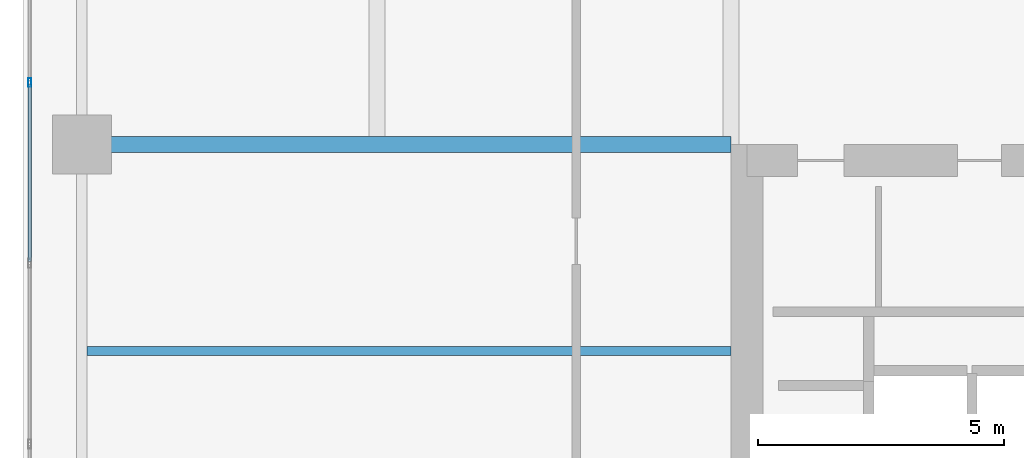
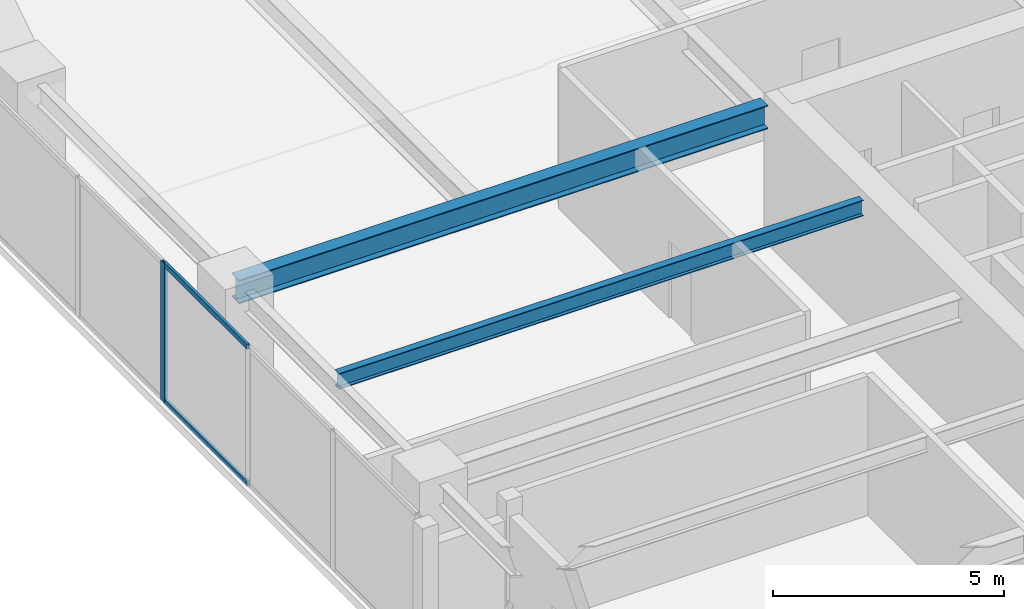
# One storey, part 6 of 30: 3 members, 2 beams, 1 element without a shape of its own.
"""IFC4 building model written with IfcOpenShell, lengths in metres."""

import ifcopenshell
import ifcopenshell.guid

model = None  # the IFC model being written
_history = None  # IfcOwnerHistory: only IFC2X3 demands one
_inside = {}  # id of a spatial element -> (the spatial element, [elements in it])
_under = {}  # id of a project, library or spatial element -> (it, [spatial elements below it])
_declared = {}  # id of a project -> (the project, [libraries it declares])
_typed = {}  # id of a type object -> (the type object, [elements of that type])
_made_of = {}  # id of a material, layer set ... -> (it, [elements and type objects made of it])


def new_model(schema):
    """Start an empty IFC model of exactly this schema.

    Asked for "IFC4X3", IfcOpenShell would pick the latest addendum, in which some entities
    have other attributes; the version numbers below select the first issue.
    IFC2X3 requires an IfcOwnerHistory on every rooted entity: one is made here for all.
    """
    global model, _history
    if schema == "IFC4X3":
        model = ifcopenshell.file(schema_version=(4, 3, 0, 0))
    else:
        model = ifcopenshell.file(schema=schema)
    _inside.clear()
    _under.clear()
    _declared.clear()
    _typed.clear()
    _made_of.clear()
    _history = None
    if model.schema == "IFC2X3":
        org = make("IfcOrganization", Name="unknown")
        user = make(
            "IfcPersonAndOrganization",
            ThePerson=make("IfcPerson", FamilyName="unknown"),
            TheOrganization=org,
        )
        app = make(
            "IfcApplication",
            ApplicationDeveloper=org,
            Version="unknown",
            ApplicationFullName="unknown",
            ApplicationIdentifier="unknown",
        )
        _history = make(
            "IfcOwnerHistory",
            OwningUser=user,
            OwningApplication=app,
            ChangeAction="ADDED",
            CreationDate=0,
        )
    return model


def make(cls, **values):
    """One entity of the class cls with the attributes given. An attribute that is None is left unset."""
    return model.create_entity(
        cls, **{name: value for name, value in values.items() if value is not None}
    )


def rooted(cls, **values):
    """An entity with a GlobalId (a new one), such as an element, a storey or a relation."""
    return make(cls, GlobalId=ifcopenshell.guid.new(), OwnerHistory=_history, **values)


def si_unit(unit_type, name, prefix=None):
    """IfcSIUnit, for example si_unit("LENGTHUNIT", "METRE", prefix="MILLI")."""
    return make("IfcSIUnit", UnitType=unit_type, Prefix=prefix, Name=name)


def assignment(units):
    """IfcUnitAssignment: the units of a project."""
    return None if units is None else make("IfcUnitAssignment", Units=units)


def point(xyz):
    """IfcCartesianPoint."""
    return None if xyz is None else make("IfcCartesianPoint", Coordinates=xyz)


def direction(xyz):
    """IfcDirection."""
    return None if xyz is None else make("IfcDirection", DirectionRatios=xyz)


def frame(location, z_axis=None, x_axis=None):
    """IfcAxis2Placement3D, a coordinate frame: its origin and axes. An axis left out is left unset."""
    return make(
        "IfcAxis2Placement3D",
        Location=point(location),
        Axis=direction(z_axis),
        RefDirection=direction(x_axis),
    )


def frame_2d(location, x_axis=None):
    """IfcAxis2Placement2D, a coordinate frame in the plane: its origin and x axis."""
    return make(
        "IfcAxis2Placement2D", Location=point(location), RefDirection=direction(x_axis)
    )


def origin():
    """The frame at (0, 0, 0) with its axes left unset."""
    return frame((0.0, 0.0, 0.0))


def origin_2d():
    """The frame at (0, 0) in the plane with its x axis left unset."""
    return frame_2d((0.0, 0.0))


def place(relative_to, where):
    """IfcLocalPlacement: puts the frame where relative to a parent placement (None: the world)."""
    return make(
        "IfcLocalPlacement", PlacementRelTo=relative_to, RelativePlacement=where
    )


def context(
    kind, dimensions, precision=None, world=None, true_north=None, identifier=None
):
    """IfcGeometricRepresentationContext, for example the 3D "Model" context."""
    return make(
        "IfcGeometricRepresentationContext",
        ContextIdentifier=identifier,
        ContextType=kind,
        CoordinateSpaceDimension=dimensions,
        Precision=precision,
        WorldCoordinateSystem=world,
        TrueNorth=true_north,
    )


def subcontext(parent, identifier, kind, view, scale=None):
    """IfcGeometricRepresentationSubContext, for example "Body" below "Model"."""
    return make(
        "IfcGeometricRepresentationSubContext",
        ContextIdentifier=identifier,
        ContextType=kind,
        ParentContext=parent,
        TargetScale=scale,
        TargetView=view,
    )


def project(units=None, contexts=None):
    """IfcProject with its units and contexts."""
    return rooted(
        "IfcProject",
        Name="project",
        RepresentationContexts=contexts,
        UnitsInContext=assignment(units),
    )


def spatial(cls, under=None, at=None, **own):
    """A site, building, storey or space (cls), placed at a placement, below another one or the project."""
    s = rooted(cls, ObjectPlacement=at, **own)
    if under is not None:
        _under.setdefault(under.id(), (under, []))[1].append(s)
    return s


def profile(cls, at=None, kind="AREA", **sizes):
    """A parametric profile (cls). Its sizes go by their IFC names, for example OverallWidth=200.0."""
    return make(cls, ProfileType=kind, Position=at, **sizes)


def hollow_rectangle(**sizes):
    """IfcRectangleHollowProfileDef."""
    return profile("IfcRectangleHollowProfileDef", **sizes)


def i_section(**sizes):
    """IfcIShapeProfileDef."""
    return profile("IfcIShapeProfileDef", **sizes)


def extrude(swept, where, along, depth):
    """IfcExtrudedAreaSolid: the profile swept, set in the frame where, extruded along a direction by depth."""
    return make(
        "IfcExtrudedAreaSolid",
        SweptArea=swept,
        Position=where,
        ExtrudedDirection=direction(along),
        Depth=depth,
    )


def shape(context_of_items, identifier, shape_type, items):
    """IfcShapeRepresentation: the items that make up one representation, for example the "Body"."""
    return make(
        "IfcShapeRepresentation",
        ContextOfItems=context_of_items,
        RepresentationIdentifier=identifier,
        RepresentationType=shape_type,
        Items=items,
    )


def material(Name=None, Category=None):
    """IfcMaterial."""
    return make("IfcMaterial", Name=Name, Category=Category)


def layer(
    of_material, thickness, ventilated=None, Name=None, Category=None, Priority=None
):
    """IfcMaterialLayer: one layer of a wall or slab, of a material (None: an air gap)."""
    return make(
        "IfcMaterialLayer",
        Material=of_material,
        LayerThickness=thickness,
        IsVentilated=ventilated,
        Name=Name,
        Category=Category,
        Priority=Priority,
    )


def layer_set(layers, Name=None):
    """IfcMaterialLayerSet."""
    return make("IfcMaterialLayerSet", MaterialLayers=layers, LayerSetName=Name)


def material_profile(
    of_material, cross_section, Name=None, Category=None, Priority=None
):
    """IfcMaterialProfile: a cross section and its material."""
    return make(
        "IfcMaterialProfile",
        Name=Name,
        Material=of_material,
        Profile=cross_section,
        Priority=Priority,
        Category=Category,
    )


def profile_set(profiles, Name=None, composite=None):
    """IfcMaterialProfileSet."""
    return make(
        "IfcMaterialProfileSet",
        Name=Name,
        MaterialProfiles=profiles,
        CompositeProfile=composite,
    )


def made_of(thing, what):
    """Note that an element or type object is made of a material, layer set ...; save() writes the relation."""
    if what is not None:
        _made_of.setdefault(what.id(), (what, []))[1].append(thing)
    return thing


def type_object(cls, material=None, **own):
    """A type object (cls), such as IfcWallType, which elements share."""
    return made_of(rooted(cls, **own), material)


def element(
    cls,
    number,
    at=None,
    inside=None,
    cuts=None,
    type_object=None,
    material=None,
    context=None,
    identifier="Body",
    shape_type=None,
    held_by="IfcProductDefinitionShape",
    body=None,
    shapes=None,
    **own,
):
    """One element of the class cls, such as IfcWall. Its Tag is "e" and its number.

    at: its placement. inside: the storey or other place that contains it. cuts: it is an
    opening in that element (IfcRelVoidsElement). A single representation is given by context,
    identifier, shape_type and body (its items); several are given by shapes. held_by: the class
    of the entity that holds the representations. save() writes the other relations.
    """
    e = rooted(cls, Tag="e%d" % number, ObjectPlacement=at, **own)
    if body is not None:
        shapes = [shape(context, identifier, shape_type, body)]
    if shapes is not None:
        e.Representation = make(held_by, Representations=shapes)
    if inside is not None:
        _inside.setdefault(inside.id(), (inside, []))[1].append(e)
    if cuts is not None:
        rooted(
            "IfcRelVoidsElement", RelatingBuildingElement=cuts, RelatedOpeningElement=e
        )
    if type_object is not None:
        _typed.setdefault(type_object.id(), (type_object, []))[1].append(e)
    return made_of(e, material)


def aggregate(whole, parts):
    """IfcRelAggregates: a whole, such as a stair, and the parts it consists of."""
    return rooted("IfcRelAggregates", RelatingObject=whole, RelatedObjects=parts)


def save(model, path):
    """Write the relations noted so far, then the file.

    IfcRelAggregates (storeys below a building ...), IfcRelContainedInSpatialStructure (elements
    in a storey), IfcRelDefinesByType, IfcRelAssociatesMaterial and IfcRelDeclares: one each for
    every whole, place, type object, material and project.
    """
    for whole, parts in _under.values():
        aggregate(whole, parts)
    for where, things in _inside.values():
        rooted(
            "IfcRelContainedInSpatialStructure",
            RelatedElements=things,
            RelatingStructure=where,
        )
    for kind, things in _typed.values():
        rooted("IfcRelDefinesByType", RelatedObjects=things, RelatingType=kind)
    for what, things in _made_of.values():
        rooted("IfcRelAssociatesMaterial", RelatedObjects=things, RelatingMaterial=what)
    for by, libraries in _declared.values():
        rooted("IfcRelDeclares", RelatingContext=by, RelatedDefinitions=libraries)
    model.write(path)


model = new_model("IFC4")

# Units and contexts
model_context = context("Model", 3, precision=1e-05, world=origin(), true_north=direction((0.0, 1.0)))
body_context = subcontext(model_context, "Body", "Model", "MODEL_VIEW")
ifc_project = project(units=[si_unit("LENGTHUNIT", "METRE"), si_unit("AREAUNIT", "SQUARE_METRE"), si_unit("VOLUMEUNIT", "CUBIC_METRE"), si_unit("PLANEANGLEUNIT", "RADIAN"), si_unit("MASSUNIT", "GRAM", prefix="KILO")], contexts=[model_context])

# Site, building, storey
site_placement = place(None, origin())
site = spatial("IfcSite", under=ifc_project, at=site_placement, CompositionType="ELEMENT")
building_placement = place(site_placement, origin())
building = spatial("IfcBuilding", under=site, at=building_placement, Name="Kiyonajd Concourse Tower", CompositionType="ELEMENT")
storey_placement = place(building_placement, frame((0.0, 0.0, 198.0)))
storey = spatial("IfcBuildingStorey", under=building, at=storey_placement, Name="L50", CompositionType="ELEMENT", Elevation=198.0)

# Beams
ifc_material_1 = material(Name="Steel ASTM A992 Grade 50", Category="steel")
ifc_material_profile_1 = material_profile(ifc_material_1, i_section(OverallWidth=0.180908203125, OverallDepth=0.4169921875, WebThickness=0.010986328125, FlangeThickness=0.018310546875, at=origin_2d()), Name="W410X85")
ifc_profile_set_1 = profile_set([ifc_material_profile_1], Name="Steel ASTM A992 Grade 50")
beam_type_1 = type_object("IfcBeamType", Name="BM-JST-410", PredefinedType="JOIST", material=ifc_profile_set_1)
beam_1_placement = place(storey_placement, frame((19.306884765625, 40.199951171875, 3.471435546875), z_axis=(1.0, 0.0, 0.0), x_axis=(0.0, 1.0, 0.0)))
element("IfcBeam", 1, at=beam_1_placement, inside=storey, type_object=beam_type_1, Name="L50 West Secondary Floor Joist", PredefinedType="JOIST", context=body_context, shape_type="SweptSolid", body=[
    extrude(i_section(OverallWidth=0.180908203125, OverallDepth=0.4169921875, WebThickness=0.010986328125, FlangeThickness=0.018310546875, at=origin_2d()), origin(), (0.0, 0.0, 1.0), 13.093017578125),
])
ifc_material_profile_2 = material_profile(ifc_material_1, i_section(OverallWidth=0.326904296875, OverallDepth=0.6220703125, WebThickness=0.015380859375, FlangeThickness=0.0244140625, at=origin_2d()), Name="W610X195")
ifc_profile_set_2 = profile_set([ifc_material_profile_2], Name="Steel ASTM A992 Grade 50")
beam_type_2 = type_object("IfcBeamType", Name="BM-TWR-610A", PredefinedType="BEAM", material=ifc_profile_set_2)
beam_2_placement = place(storey_placement, frame((19.199951171875, 44.39990234375, 3.368896484375), z_axis=(1.0, 0.0, 0.0), x_axis=(0.0, 1.0, 0.0)))
element("IfcBeam", 2, at=beam_2_placement, inside=storey, type_object=beam_type_2, Name="L50 West Lease Girder", PredefinedType="BEAM", context=body_context, shape_type="SweptSolid", body=[
    extrude(i_section(OverallWidth=0.326904296875, OverallDepth=0.6220703125, WebThickness=0.015380859375, FlangeThickness=0.0244140625, at=origin_2d()), origin(), (0.0, 0.0, 1.0), 13.199951171875),
])

# Curtain wall, members
ifc_material_2 = material(Name="Thermally Broken Anodised Aluminium", Category="aluminium")
ifc_layer = layer(ifc_material_2, 0.179931640625)
ifc_layer_set = layer_set([ifc_layer], Name="Thermally Broken Anodised Aluminium")
curtain_wall_type = type_object("IfcCurtainWallType", Name="CW-SYS-03", PredefinedType="NOTDEFINED", material=ifc_layer_set)
curtain_wall_placement = place(storey_placement, origin())
curtain_wall = element("IfcCurtainWall", 3, at=curtain_wall_placement, inside=storey, type_object=curtain_wall_type, Name="L50 Unitised Curtain Wall CW3", PredefinedType="NOTDEFINED")
ifc_material_profile_3 = material_profile(ifc_material_2, hollow_rectangle(XDim=0.06494140625, YDim=0.179931640625, WallThickness=0.00390625, at=origin_2d()), Name="MULL-65x180")
ifc_profile_set_3 = profile_set([ifc_material_profile_3], Name="Thermally Broken Anodised Aluminium")
member_type_1 = type_object("IfcMemberType", Name="MB-CW-MULL1", PredefinedType="MULLION", material=ifc_profile_set_3)
member_1_placement = place(storey_placement, frame((18.139892578125, 45.660888671875, 0.0), z_axis=(0.0, 0.0, 1.0), x_axis=(-1.0, 0.0, 0.0)))
member_1 = element("IfcMember", 4, at=member_1_placement, type_object=member_type_1, Name="CW3 mullion 4", PredefinedType="MULLION", context=body_context, shape_type="SweptSolid", body=[
    extrude(hollow_rectangle(XDim=0.06494140625, YDim=0.179931640625, WallThickness=0.00390625, at=origin_2d()), origin(), (0.0, 0.0, 1.0), 3.679931640625),
])
ifc_material_profile_4 = material_profile(ifc_material_2, hollow_rectangle(XDim=0.06494140625, YDim=0.139892578125, WallThickness=0.00390625, at=origin_2d()), Name="TRAN-65x140")
ifc_profile_set_4 = profile_set([ifc_material_profile_4], Name="Thermally Broken Anodised Aluminium")
member_type_2 = type_object("IfcMemberType", Name="MB-CW-TRAN1", PredefinedType="USERDEFINED", material=ifc_profile_set_4)
member_2_placement = place(storey_placement, frame((18.139892578125, 42.016357421875, 0.032470703125), z_axis=(0.0, 1.0, 0.0), x_axis=(-1.0, 0.0, 0.0)))
member_2 = element("IfcMember", 5, at=member_2_placement, type_object=member_type_2, Name="CW3 transom 3.1", ObjectType="TRANSOM", PredefinedType="USERDEFINED", context=body_context, shape_type="SweptSolid", body=[
    extrude(hollow_rectangle(XDim=0.06494140625, YDim=0.139892578125, WallThickness=0.00390625, at=origin_2d()), origin(), (0.0, 0.0, 1.0), 3.612060546875),
])
member_3_placement = place(storey_placement, frame((18.139892578125, 42.016357421875, 3.6474609375), z_axis=(0.0, 1.0, 0.0), x_axis=(-1.0, 0.0, 0.0)))
member_3 = element("IfcMember", 6, at=member_3_placement, type_object=member_type_2, Name="CW3 transom 3.2", ObjectType="TRANSOM", PredefinedType="USERDEFINED", context=body_context, shape_type="SweptSolid", body=[
    extrude(hollow_rectangle(XDim=0.06494140625, YDim=0.139892578125, WallThickness=0.00390625, at=origin_2d()), origin(), (0.0, 0.0, 1.0), 3.612060546875),
])
aggregate(curtain_wall, [member_1, member_2, member_3])

save(model, "model.ifc")
